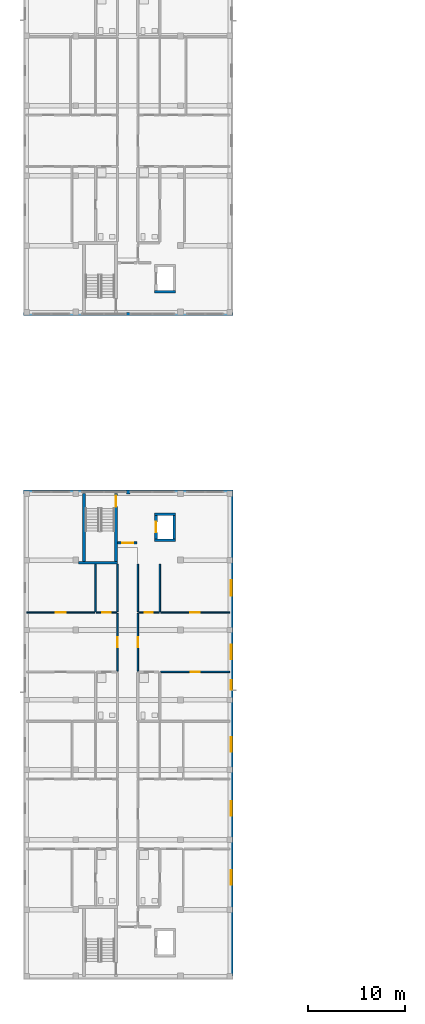
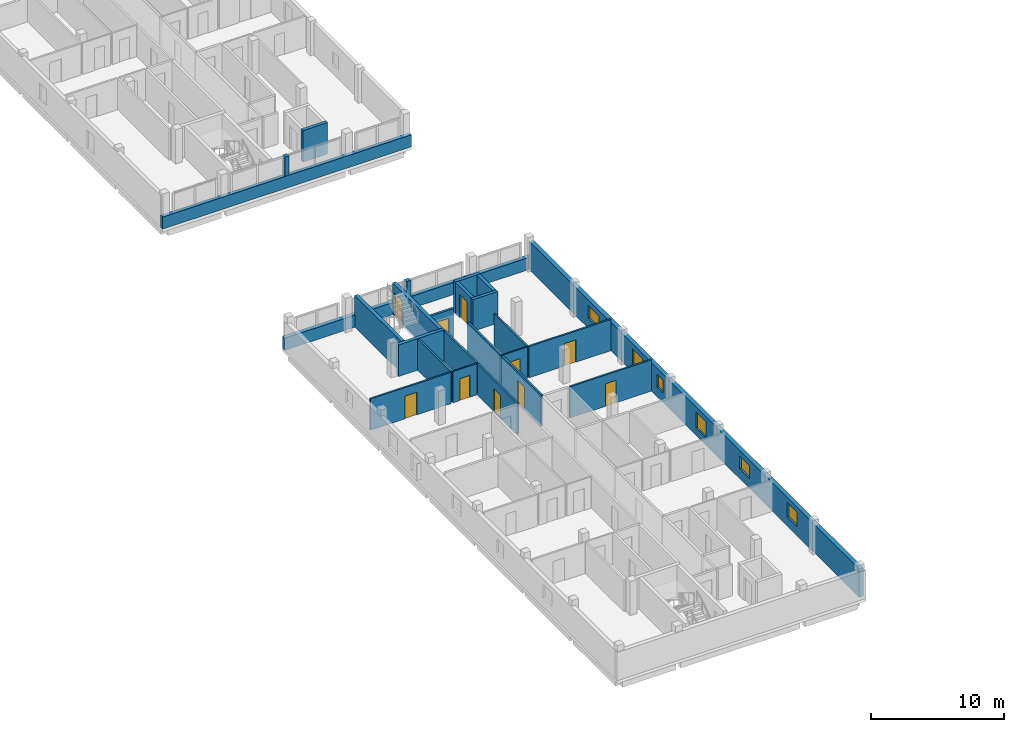
# One storey, part 15 of 38: 25 walls, 10 doors, 6 windows, 16 openings.
"""IFC4 building model written with IfcOpenShell, lengths in metres."""

import ifcopenshell
import ifcopenshell.guid

model = None  # the IFC model being written
_history = None  # IfcOwnerHistory: only IFC2X3 demands one
_inside = {}  # id of a spatial element -> (the spatial element, [elements in it])
_under = {}  # id of a project, library or spatial element -> (it, [spatial elements below it])
_declared = {}  # id of a project -> (the project, [libraries it declares])
_typed = {}  # id of a type object -> (the type object, [elements of that type])
_made_of = {}  # id of a material, layer set ... -> (it, [elements and type objects made of it])


def new_model(schema):
    """Start an empty IFC model of exactly this schema.

    Asked for "IFC4X3", IfcOpenShell would pick the latest addendum, in which some entities
    have other attributes; the version numbers below select the first issue.
    IFC2X3 requires an IfcOwnerHistory on every rooted entity: one is made here for all.
    """
    global model, _history
    if schema == "IFC4X3":
        model = ifcopenshell.file(schema_version=(4, 3, 0, 0))
    else:
        model = ifcopenshell.file(schema=schema)
    _inside.clear()
    _under.clear()
    _declared.clear()
    _typed.clear()
    _made_of.clear()
    _history = None
    if model.schema == "IFC2X3":
        org = make("IfcOrganization", Name="unknown")
        user = make(
            "IfcPersonAndOrganization",
            ThePerson=make("IfcPerson", FamilyName="unknown"),
            TheOrganization=org,
        )
        app = make(
            "IfcApplication",
            ApplicationDeveloper=org,
            Version="unknown",
            ApplicationFullName="unknown",
            ApplicationIdentifier="unknown",
        )
        _history = make(
            "IfcOwnerHistory",
            OwningUser=user,
            OwningApplication=app,
            ChangeAction="ADDED",
            CreationDate=0,
        )
    return model


def make(cls, **values):
    """One entity of the class cls with the attributes given. An attribute that is None is left unset."""
    return model.create_entity(
        cls, **{name: value for name, value in values.items() if value is not None}
    )


def rooted(cls, **values):
    """An entity with a GlobalId (a new one), such as an element, a storey or a relation."""
    return make(cls, GlobalId=ifcopenshell.guid.new(), OwnerHistory=_history, **values)


def si_unit(unit_type, name, prefix=None):
    """IfcSIUnit, for example si_unit("LENGTHUNIT", "METRE", prefix="MILLI")."""
    return make("IfcSIUnit", UnitType=unit_type, Prefix=prefix, Name=name)


def derived_unit(unit_type, elements):
    """IfcDerivedUnit: a product of units, each with its exponent."""
    return make(
        "IfcDerivedUnit",
        Elements=[
            make("IfcDerivedUnitElement", Unit=unit, Exponent=power)
            for unit, power in elements
        ],
        UnitType=unit_type,
    )


def assignment(units):
    """IfcUnitAssignment: the units of a project."""
    return None if units is None else make("IfcUnitAssignment", Units=units)


def point(xyz):
    """IfcCartesianPoint."""
    return None if xyz is None else make("IfcCartesianPoint", Coordinates=xyz)


def direction(xyz):
    """IfcDirection."""
    return None if xyz is None else make("IfcDirection", DirectionRatios=xyz)


def frame(location, z_axis=None, x_axis=None):
    """IfcAxis2Placement3D, a coordinate frame: its origin and axes. An axis left out is left unset."""
    return make(
        "IfcAxis2Placement3D",
        Location=point(location),
        Axis=direction(z_axis),
        RefDirection=direction(x_axis),
    )


def frame_2d(location, x_axis=None):
    """IfcAxis2Placement2D, a coordinate frame in the plane: its origin and x axis."""
    return make(
        "IfcAxis2Placement2D", Location=point(location), RefDirection=direction(x_axis)
    )


def origin():
    """The frame at (0, 0, 0) with its axes left unset."""
    return frame((0.0, 0.0, 0.0))


def place(relative_to, where):
    """IfcLocalPlacement: puts the frame where relative to a parent placement (None: the world)."""
    return make(
        "IfcLocalPlacement", PlacementRelTo=relative_to, RelativePlacement=where
    )


def context(
    kind, dimensions, precision=None, world=None, true_north=None, identifier=None
):
    """IfcGeometricRepresentationContext, for example the 3D "Model" context."""
    return make(
        "IfcGeometricRepresentationContext",
        ContextIdentifier=identifier,
        ContextType=kind,
        CoordinateSpaceDimension=dimensions,
        Precision=precision,
        WorldCoordinateSystem=world,
        TrueNorth=true_north,
    )


def subcontext(parent, identifier, kind, view, scale=None):
    """IfcGeometricRepresentationSubContext, for example "Body" below "Model"."""
    return make(
        "IfcGeometricRepresentationSubContext",
        ContextIdentifier=identifier,
        ContextType=kind,
        ParentContext=parent,
        TargetScale=scale,
        TargetView=view,
    )


def project(units=None, contexts=None):
    """IfcProject with its units and contexts."""
    return rooted(
        "IfcProject",
        Name="project",
        RepresentationContexts=contexts,
        UnitsInContext=assignment(units),
    )


def spatial(cls, under=None, at=None, **own):
    """A site, building, storey or space (cls), placed at a placement, below another one or the project."""
    s = rooted(cls, ObjectPlacement=at, **own)
    if under is not None:
        _under.setdefault(under.id(), (under, []))[1].append(s)
    return s


def profile(cls, at=None, kind="AREA", **sizes):
    """A parametric profile (cls). Its sizes go by their IFC names, for example OverallWidth=200.0."""
    return make(cls, ProfileType=kind, Position=at, **sizes)


def rectangle(**sizes):
    """IfcRectangleProfileDef."""
    return profile("IfcRectangleProfileDef", **sizes)


def extrude(swept, where, along, depth):
    """IfcExtrudedAreaSolid: the profile swept, set in the frame where, extruded along a direction by depth."""
    return make(
        "IfcExtrudedAreaSolid",
        SweptArea=swept,
        Position=where,
        ExtrudedDirection=direction(along),
        Depth=depth,
    )


def shape(context_of_items, identifier, shape_type, items):
    """IfcShapeRepresentation: the items that make up one representation, for example the "Body"."""
    return make(
        "IfcShapeRepresentation",
        ContextOfItems=context_of_items,
        RepresentationIdentifier=identifier,
        RepresentationType=shape_type,
        Items=items,
    )


def material(Name=None, Category=None):
    """IfcMaterial."""
    return make("IfcMaterial", Name=Name, Category=Category)


def layer(
    of_material, thickness, ventilated=None, Name=None, Category=None, Priority=None
):
    """IfcMaterialLayer: one layer of a wall or slab, of a material (None: an air gap)."""
    return make(
        "IfcMaterialLayer",
        Material=of_material,
        LayerThickness=thickness,
        IsVentilated=ventilated,
        Name=Name,
        Category=Category,
        Priority=Priority,
    )


def layer_set(layers, Name=None):
    """IfcMaterialLayerSet."""
    return make("IfcMaterialLayerSet", MaterialLayers=layers, LayerSetName=Name)


def made_of(thing, what):
    """Note that an element or type object is made of a material, layer set ...; save() writes the relation."""
    if what is not None:
        _made_of.setdefault(what.id(), (what, []))[1].append(thing)
    return thing


def type_object(cls, material=None, **own):
    """A type object (cls), such as IfcWallType, which elements share."""
    return made_of(rooted(cls, **own), material)


def element(
    cls,
    number,
    at=None,
    inside=None,
    cuts=None,
    type_object=None,
    material=None,
    context=None,
    identifier="Body",
    shape_type=None,
    held_by="IfcProductDefinitionShape",
    body=None,
    shapes=None,
    **own,
):
    """One element of the class cls, such as IfcWall. Its Tag is "e" and its number.

    at: its placement. inside: the storey or other place that contains it. cuts: it is an
    opening in that element (IfcRelVoidsElement). A single representation is given by context,
    identifier, shape_type and body (its items); several are given by shapes. held_by: the class
    of the entity that holds the representations. save() writes the other relations.
    """
    e = rooted(cls, Tag="e%d" % number, ObjectPlacement=at, **own)
    if body is not None:
        shapes = [shape(context, identifier, shape_type, body)]
    if shapes is not None:
        e.Representation = make(held_by, Representations=shapes)
    if inside is not None:
        _inside.setdefault(inside.id(), (inside, []))[1].append(e)
    if cuts is not None:
        rooted(
            "IfcRelVoidsElement", RelatingBuildingElement=cuts, RelatedOpeningElement=e
        )
    if type_object is not None:
        _typed.setdefault(type_object.id(), (type_object, []))[1].append(e)
    return made_of(e, material)


def fill(opening, filler):
    """IfcRelFillsElement: the door or window that sits in an opening."""
    return rooted(
        "IfcRelFillsElement",
        RelatingOpeningElement=opening,
        RelatedBuildingElement=filler,
    )


def aggregate(whole, parts):
    """IfcRelAggregates: a whole, such as a stair, and the parts it consists of."""
    return rooted("IfcRelAggregates", RelatingObject=whole, RelatedObjects=parts)


def save(model, path):
    """Write the relations noted so far, then the file.

    IfcRelAggregates (storeys below a building ...), IfcRelContainedInSpatialStructure (elements
    in a storey), IfcRelDefinesByType, IfcRelAssociatesMaterial and IfcRelDeclares: one each for
    every whole, place, type object, material and project.
    """
    for whole, parts in _under.values():
        aggregate(whole, parts)
    for where, things in _inside.values():
        rooted(
            "IfcRelContainedInSpatialStructure",
            RelatedElements=things,
            RelatingStructure=where,
        )
    for kind, things in _typed.values():
        rooted("IfcRelDefinesByType", RelatedObjects=things, RelatingType=kind)
    for what, things in _made_of.values():
        rooted("IfcRelAssociatesMaterial", RelatedObjects=things, RelatingMaterial=what)
    for by, libraries in _declared.values():
        rooted("IfcRelDeclares", RelatingContext=by, RelatedDefinitions=libraries)
    model.write(path)


model = new_model("IFC4")

# Units and contexts
model_context = context("Model", 3, precision=1e-05, world=origin(), true_north=direction((0.0, 1.0)))
body_context = subcontext(model_context, "Body", "Model", "MODEL_VIEW")
ifc_project = project(units=[si_unit("LENGTHUNIT", "METRE"), si_unit("AREAUNIT", "SQUARE_METRE"), si_unit("VOLUMEUNIT", "CUBIC_METRE"), si_unit("PLANEANGLEUNIT", "RADIAN"), si_unit("MASSUNIT", "GRAM", prefix="KILO"), derived_unit("THERMALTRANSMITTANCEUNIT", [(si_unit("MASSUNIT", "GRAM", prefix="KILO"), 1), (si_unit("TIMEUNIT", "SECOND"), -3), (si_unit("THERMODYNAMICTEMPERATUREUNIT", "KELVIN"), -1)])], contexts=[model_context])

# Site, building, storey
site_placement = place(None, origin())
site = spatial("IfcSite", under=ifc_project, at=site_placement, CompositionType="ELEMENT")
building_placement = place(site_placement, origin())
building = spatial("IfcBuilding", under=site, at=building_placement, Name="Ochrekiln Boulevard Commons", CompositionType="ELEMENT")
storey_placement = place(building_placement, frame((0.0, 0.0, 24.675048828125)))
storey = spatial("IfcBuildingStorey", under=building, at=storey_placement, Name="L07", CompositionType="ELEMENT", Elevation=24.675048828125)

# Wall, openings, windows
ifc_material_1 = material(Name="Iron-spot brown clinker brick masonry ASTM C216 Grade SW", Category="masonry")
ifc_layer_1 = layer(ifc_material_1, 0.364990234375)
ifc_layer_set_1 = layer_set([ifc_layer_1], Name="Iron-spot brown clinker brick masonry ASTM C216 Grade SW")
wall_type_1 = type_object("IfcWallType", Name="WL-EXT-IRON-365", PredefinedType="SOLIDWALL", material=ifc_layer_set_1)
wall_1_placement = place(storey_placement, frame((21.41748046875, 0.364990234375, 0.0), z_axis=(0.0, 0.0, 1.0), x_axis=(0.0, 1.0, 0.0)))
wall_1 = element("IfcWall", 1, at=wall_1_placement, inside=storey, type_object=wall_type_1, Name="Block D L07 E Exterior Wall", PredefinedType="SOLIDWALL", context=body_context, shape_type="SweptSolid", body=[
    extrude(rectangle(XDim=49.669921875, YDim=0.364990234375, at=frame_2d((24.8349609375, 0.0))), origin(), (0.0, 0.0, 1.0), 2.599853515625),
])
opening_1_placement = place(wall_1_placement, frame((16.51708984375, 0.0, 0.89990234375)))
opening_1 = element("IfcOpeningElement", 2, at=opening_1_placement, cuts=wall_1, Name="Opening W-26", PredefinedType="OPENING", context=body_context, shape_type="SweptSolid", body=[
    extrude(rectangle(XDim=1.47998046875, YDim=1.199951171875, at=frame_2d((0.739990234375, 0.60009765625))), frame((0.0, 0.1923828125, 0.0), z_axis=(0.0, -1.0, 0.0), x_axis=(1.0, 0.0, 0.0)), (0.0, 0.0, 1.0), 0.385009765625),
])
opening_2_placement = place(wall_1_placement, frame((9.386962890625, 0.0, 0.81494140625)))
opening_2 = element("IfcOpeningElement", 3, at=opening_2_placement, cuts=wall_1, Name="Opening W-27", PredefinedType="OPENING", context=body_context, shape_type="SweptSolid", body=[
    extrude(rectangle(XDim=1.47998046875, YDim=1.35009765625, at=frame_2d((0.739990234375, 0.675048828125))), frame((0.0, 0.1923828125, 0.0), z_axis=(0.0, -1.0, 0.0), x_axis=(1.0, 0.0, 0.0)), (0.0, 0.0, 1.0), 0.385009765625),
])
opening_3_placement = place(wall_1_placement, frame((23.089111328125, 0.0, 0.6650390625)))
opening_3 = element("IfcOpeningElement", 4, at=opening_3_placement, cuts=wall_1, Name="Opening W-28", PredefinedType="OPENING", context=body_context, shape_type="SweptSolid", body=[
    extrude(rectangle(XDim=1.47998046875, YDim=1.5, at=frame_2d((0.739990234375, 0.75))), frame((0.0, 0.1923828125, 0.0), z_axis=(0.0, -1.0, 0.0), x_axis=(1.0, 0.0, 0.0)), (0.0, 0.0, 1.0), 0.385009765625),
])
opening_4_placement = place(wall_1_placement, frame((32.64501953125, 0.0, 0.514892578125)))
opening_4 = element("IfcOpeningElement", 5, at=opening_4_placement, cuts=wall_1, Name="Opening W-29", PredefinedType="OPENING", context=body_context, shape_type="SweptSolid", body=[
    extrude(rectangle(XDim=1.47998046875, YDim=1.64990234375, at=frame_2d((0.739990234375, 0.824951171875))), frame((0.0, 0.1923828125, 0.0), z_axis=(0.0, -1.0, 0.0), x_axis=(1.0, 0.0, 0.0)), (0.0, 0.0, 1.0), 0.385009765625),
])
opening_5_placement = place(wall_1_placement, frame((29.5, 0.0, 0.85009765625)))
opening_5 = element("IfcOpeningElement", 6, at=opening_5_placement, cuts=wall_1, Name="Opening W-01", PredefinedType="OPENING", context=body_context, shape_type="SweptSolid", body=[
    extrude(rectangle(XDim=0.949951171875, YDim=1.199951171875, at=frame_2d((0.47509765625, 0.60009765625))), frame((0.0, 0.1923828125, 0.0), z_axis=(0.0, -1.0, 0.0), x_axis=(1.0, 0.0, 0.0)), (0.0, 0.0, 1.0), 0.385009765625),
])
opening_6_placement = place(wall_1_placement, frame((39.178955078125, 0.0, 0.89990234375)))
opening_6 = element("IfcOpeningElement", 7, at=opening_6_placement, cuts=wall_1, Name="Opening W-31", PredefinedType="OPENING", context=body_context, shape_type="SweptSolid", body=[
    extrude(rectangle(XDim=1.60009765625, YDim=1.199951171875, at=frame_2d((0.800048828125, 0.60009765625))), frame((0.0, 0.1923828125, 0.0), z_axis=(0.0, -1.0, 0.0), x_axis=(1.0, 0.0, 0.0)), (0.0, 0.0, 1.0), 0.385009765625),
])
ifc_material_2 = material(Name="Thermally broken aluminium-clad oak frame", Category="aluminium")
window_type_1 = type_object("IfcWindowType", Name="WIN-EXT-01", PartitioningType="SINGLE_PANEL", PredefinedType="WINDOW", material=ifc_material_2)
window_1_placement = place(opening_5_placement, origin())
window_1 = element("IfcWindow", 8, at=window_1_placement, inside=storey, type_object=window_type_1, Name="Block D L07 Punched Masonry Window W-01", OverallHeight=1.199951171875, OverallWidth=0.949951171875, PartitioningType="SINGLE_PANEL", PredefinedType="WINDOW", context=body_context, shape_type="SweptSolid", body=[
    extrude(rectangle(XDim=0.949951171875, YDim=1.199951171875, at=frame_2d((0.47509765625, 0.60009765625))), frame((0.0, 0.030029296875, 0.0), z_axis=(0.0, -1.0, 0.0), x_axis=(1.0, 0.0, 0.0)), (0.0, 0.0, 1.0), 0.06005859375),
])
fill(opening_5, window_1)
window_type_2 = type_object("IfcWindowType", Name="WIN-EXT-26", PartitioningType="SINGLE_PANEL", PredefinedType="WINDOW", material=ifc_material_2)
window_2_placement = place(opening_1_placement, origin())
window_2 = element("IfcWindow", 9, at=window_2_placement, inside=storey, type_object=window_type_2, Name="Block D L07 Punched Masonry Window W-26", OverallHeight=1.199951171875, OverallWidth=1.47998046875, PartitioningType="SINGLE_PANEL", PredefinedType="WINDOW", context=body_context, shape_type="SweptSolid", body=[
    extrude(rectangle(XDim=1.47998046875, YDim=1.199951171875, at=frame_2d((0.739990234375, 0.60009765625))), frame((0.0, 0.030029296875, 0.0), z_axis=(0.0, -1.0, 0.0), x_axis=(1.0, 0.0, 0.0)), (0.0, 0.0, 1.0), 0.06005859375),
])
fill(opening_1, window_2)
window_type_3 = type_object("IfcWindowType", Name="WIN-EXT-27", PartitioningType="SINGLE_PANEL", PredefinedType="WINDOW", material=ifc_material_2)
window_3_placement = place(opening_2_placement, origin())
window_3 = element("IfcWindow", 10, at=window_3_placement, inside=storey, type_object=window_type_3, Name="Block D L07 Punched Masonry Window W-27", OverallHeight=1.35009765625, OverallWidth=1.47998046875, PartitioningType="SINGLE_PANEL", PredefinedType="WINDOW", context=body_context, shape_type="SweptSolid", body=[
    extrude(rectangle(XDim=1.47998046875, YDim=1.35009765625, at=frame_2d((0.739990234375, 0.675048828125))), frame((0.0, 0.030029296875, 0.0), z_axis=(0.0, -1.0, 0.0), x_axis=(1.0, 0.0, 0.0)), (0.0, 0.0, 1.0), 0.06005859375),
])
fill(opening_2, window_3)
window_type_4 = type_object("IfcWindowType", Name="WIN-EXT-28", PartitioningType="SINGLE_PANEL", PredefinedType="WINDOW", material=ifc_material_2)
window_4_placement = place(opening_3_placement, origin())
window_4 = element("IfcWindow", 11, at=window_4_placement, inside=storey, type_object=window_type_4, Name="Block D L07 Punched Masonry Window W-28", OverallHeight=1.5, OverallWidth=1.47998046875, PartitioningType="SINGLE_PANEL", PredefinedType="WINDOW", context=body_context, shape_type="SweptSolid", body=[
    extrude(rectangle(XDim=1.47998046875, YDim=1.5, at=frame_2d((0.739990234375, 0.75))), frame((0.0, 0.030029296875, 0.0), z_axis=(0.0, -1.0, 0.0), x_axis=(1.0, 0.0, 0.0)), (0.0, 0.0, 1.0), 0.06005859375),
])
fill(opening_3, window_4)
window_type_5 = type_object("IfcWindowType", Name="WIN-EXT-29", PartitioningType="SINGLE_PANEL", PredefinedType="WINDOW", material=ifc_material_2)
window_5_placement = place(opening_4_placement, origin())
window_5 = element("IfcWindow", 12, at=window_5_placement, inside=storey, type_object=window_type_5, Name="Block D L07 Punched Masonry Window W-29", OverallHeight=1.64990234375, OverallWidth=1.47998046875, PartitioningType="SINGLE_PANEL", PredefinedType="WINDOW", context=body_context, shape_type="SweptSolid", body=[
    extrude(rectangle(XDim=1.47998046875, YDim=1.64990234375, at=frame_2d((0.739990234375, 0.824951171875))), frame((0.0, 0.030029296875, 0.0), z_axis=(0.0, -1.0, 0.0), x_axis=(1.0, 0.0, 0.0)), (0.0, 0.0, 1.0), 0.06005859375),
])
fill(opening_4, window_5)
window_type_6 = type_object("IfcWindowType", Name="WIN-EXT-31", PartitioningType="DOUBLE_PANEL_VERTICAL", PredefinedType="WINDOW", material=ifc_material_2)
window_6_placement = place(opening_6_placement, origin())
window_6 = element("IfcWindow", 13, at=window_6_placement, inside=storey, type_object=window_type_6, Name="Block D L07 Punched Masonry Window W-31", OverallHeight=1.199951171875, OverallWidth=1.60009765625, PartitioningType="DOUBLE_PANEL_VERTICAL", PredefinedType="WINDOW", context=body_context, shape_type="SweptSolid", body=[
    extrude(rectangle(XDim=1.60009765625, YDim=1.199951171875, at=frame_2d((0.800048828125, 0.60009765625))), frame((0.0, 0.030029296875, 0.0), z_axis=(0.0, -1.0, 0.0), x_axis=(1.0, 0.0, 0.0)), (0.0, 0.0, 1.0), 0.06005859375),
])
fill(opening_6, window_6)

# Walls
wall_2_placement = place(storey_placement, frame((0.0, 50.217529296875, 0.0), z_axis=(0.0, 0.0, 1.0), x_axis=(1.0, 0.0, 0.0)))
element("IfcWall", 14, at=wall_2_placement, inside=storey, type_object=wall_type_1, Name="Block D L07 Courtyard Gable Sill Wall", PredefinedType="SOLIDWALL", context=body_context, shape_type="SweptSolid", body=[
    extrude(rectangle(XDim=21.60009765625, YDim=0.364990234375, at=frame_2d((10.800048828125, 0.0))), origin(), (0.0, 0.0, 1.0), 1.10986328125),
])
wall_3_placement = place(storey_placement, frame((10.6201171875, 50.217529296875, 1.10986328125), z_axis=(0.0, 0.0, 1.0), x_axis=(1.0, 0.0, 0.0)))
element("IfcWall", 15, at=wall_3_placement, inside=storey, type_object=wall_type_1, Name="Block D L07 Courtyard Gable Mullion Pier", PredefinedType="SOLIDWALL", context=body_context, shape_type="SweptSolid", body=[
    extrude(rectangle(XDim=0.35986328125, YDim=0.364990234375, at=frame_2d((0.179931640625, 0.0))), origin(), (0.0, 0.0, 1.0), 1.489990234375),
])
ifc_material_3 = material(Name="Desert ochre clinker brick masonry ASTM C216 Grade SW", Category="masonry")
ifc_layer_2 = layer(ifc_material_3, 0.320068359375)
ifc_layer_set_2 = layer_set([ifc_layer_2], Name="Desert ochre clinker brick masonry ASTM C216 Grade SW")
wall_type_2 = type_object("IfcWallType", Name="WL-EXT-OCHRE-320", PredefinedType="SOLIDWALL", material=ifc_layer_set_2)
wall_4_placement = place(storey_placement, frame((0.0, 68.56005859375, 0.0), z_axis=(0.0, 0.0, 1.0), x_axis=(1.0, 0.0, 0.0)))
element("IfcWall", 16, at=wall_4_placement, inside=storey, type_object=wall_type_2, Name="Block A L07 Courtyard Gable Sill Wall", PredefinedType="SOLIDWALL", context=body_context, shape_type="SweptSolid", body=[
    extrude(rectangle(XDim=21.60009765625, YDim=0.320068359375, at=frame_2d((10.800048828125, 0.0))), origin(), (0.0, 0.0, 1.0), 1.10986328125),
])
wall_5_placement = place(storey_placement, frame((10.6201171875, 68.56005859375, 1.10986328125), z_axis=(0.0, 0.0, 1.0), x_axis=(1.0, 0.0, 0.0)))
element("IfcWall", 17, at=wall_5_placement, inside=storey, type_object=wall_type_2, Name="Block A L07 Courtyard Gable Mullion Pier", PredefinedType="SOLIDWALL", context=body_context, shape_type="SweptSolid", body=[
    extrude(rectangle(XDim=0.35986328125, YDim=0.320068359375, at=frame_2d((0.179931640625, 0.0))), origin(), (0.0, 0.0, 1.0), 1.7900390625),
])

# Wall, opening, door
ifc_material_4 = material(Name="Fire-rated Type X gypsum board on steel studs", Category="steel")
ifc_layer_3 = layer(ifc_material_4, 0.1650390625)
ifc_layer_set_3 = layer_set([ifc_layer_3], Name="Fire-rated Type X gypsum board on steel studs")
wall_type_3 = type_object("IfcWallType", Name="WL-PT-CORR-165", PredefinedType="PARTITIONING", material=ifc_layer_set_3)
wall_6_placement = place(storey_placement, frame((9.7099609375, 31.77001953125, 0.0), z_axis=(0.0, 0.0, 1.0), x_axis=(0.0, 1.0, 0.0)))
wall_6 = element("IfcWall", 18, at=wall_6_placement, inside=storey, type_object=wall_type_3, Name="L07 Interior Wall W-PC165", PredefinedType="PARTITIONING", context=body_context, shape_type="SweptSolid", body=[
    extrude(rectangle(XDim=5.9580078125, YDim=0.1650390625, at=frame_2d((2.97900390625, 0.0))), origin(), (0.0, 0.0, 1.0), 2.869873046875),
])
opening_7_placement = place(wall_6_placement, frame((2.47412109375, 0.0, 0.0)))
opening_7 = element("IfcOpeningElement", 19, at=opening_7_placement, cuts=wall_6, Name="Opening D-L07-977", PredefinedType="OPENING", context=body_context, shape_type="SweptSolid", body=[
    extrude(rectangle(XDim=1.010009765625, YDim=2.110107421875, at=frame_2d((0.5048828125, 1.05517578125))), frame((0.0, 0.092529296875, 0.0), z_axis=(0.0, -1.0, 0.0), x_axis=(1.0, 0.0, 0.0)), (0.0, 0.0, 1.0), 0.18505859375),
])
ifc_material_5 = material(Name="Solid core architectural oak door leaf")
door_type_1 = type_object("IfcDoorType", Name="DR-INT-APT-101", OperationType="NOTDEFINED", PredefinedType="DOOR", material=ifc_material_5)
door_1_placement = place(opening_7_placement, origin())
door_1 = element("IfcDoor", 20, at=door_1_placement, inside=storey, type_object=door_type_1, Name="L07 Interior Door to Two-Bedroom Apartment Living Room", OperationType="SINGLE_SWING_LEFT", OverallHeight=2.110107421875, OverallWidth=1.010009765625, PredefinedType="DOOR", context=body_context, shape_type="SweptSolid", body=[
    extrude(rectangle(XDim=1.010009765625, YDim=2.110107421875, at=frame_2d((0.5048828125, 1.05517578125))), frame((0.0, 0.02490234375, 0.0), z_axis=(0.0, -1.0, 0.0), x_axis=(1.0, 0.0, 0.0)), (0.0, 0.0, 1.0), 0.050048828125),
])
fill(opening_7, door_1)

# Wall
wall_7_placement = place(storey_placement, frame((9.7099609375, 37.887939453125, 0.0), z_axis=(0.0, 0.0, 1.0), x_axis=(0.0, 1.0, 0.0)))
element("IfcWall", 21, at=wall_7_placement, inside=storey, type_object=wall_type_3, Name="L07 Interior Wall W-PC165", PredefinedType="PARTITIONING", context=body_context, shape_type="SweptSolid", body=[
    extrude(rectangle(XDim=4.912109375, YDim=0.1650390625, at=frame_2d((2.4560546875, 0.0))), origin(), (0.0, 0.0, 1.0), 2.869873046875),
])

# Wall, opening, door
wall_8_placement = place(storey_placement, frame((11.7900390625, 31.77001953125, 0.0), z_axis=(0.0, 0.0, 1.0), x_axis=(0.0, 1.0, 0.0)))
wall_8 = element("IfcWall", 22, at=wall_8_placement, inside=storey, type_object=wall_type_3, Name="L07 Interior Wall W-PC165", PredefinedType="PARTITIONING", context=body_context, shape_type="SweptSolid", body=[
    extrude(rectangle(XDim=5.9580078125, YDim=0.1650390625, at=frame_2d((2.97900390625, 0.0))), origin(), (0.0, 0.0, 1.0), 2.869873046875),
])
opening_8_placement = place(wall_8_placement, frame((2.47412109375, 0.0, 0.0)))
opening_8 = element("IfcOpeningElement", 23, at=opening_8_placement, cuts=wall_8, Name="Opening D-L07-979", PredefinedType="OPENING", context=body_context, shape_type="SweptSolid", body=[
    extrude(rectangle(XDim=1.010009765625, YDim=2.110107421875, at=frame_2d((0.5048828125, 1.05517578125))), frame((0.0, 0.092529296875, 0.0), z_axis=(0.0, -1.0, 0.0), x_axis=(1.0, 0.0, 0.0)), (0.0, 0.0, 1.0), 0.18505859375),
])
door_2_placement = place(opening_8_placement, frame((1.010009765625, 0.0, 0.0), z_axis=(0.0, 0.0, 1.0), x_axis=(-1.0, 0.0, 0.0)))
door_2 = element("IfcDoor", 24, at=door_2_placement, inside=storey, type_object=door_type_1, Name="L07 Interior Door to Two-Bedroom Apartment Living Room", OperationType="SINGLE_SWING_LEFT", OverallHeight=2.110107421875, OverallWidth=1.010009765625, PredefinedType="DOOR", context=body_context, shape_type="SweptSolid", body=[
    extrude(rectangle(XDim=1.010009765625, YDim=2.110107421875, at=frame_2d((0.5048828125, 1.05517578125))), frame((0.0, 0.02490234375, 0.0), z_axis=(0.0, -1.0, 0.0), x_axis=(1.0, 0.0, 0.0)), (0.0, 0.0, 1.0), 0.050048828125),
])
fill(opening_8, door_2)

# Wall
wall_9_placement = place(storey_placement, frame((11.7900390625, 37.887939453125, 0.0), z_axis=(0.0, 0.0, 1.0), x_axis=(0.0, 1.0, 0.0)))
element("IfcWall", 25, at=wall_9_placement, inside=storey, type_object=wall_type_3, Name="L07 Interior Wall W-PC165", PredefinedType="PARTITIONING", context=body_context, shape_type="SweptSolid", body=[
    extrude(rectangle(XDim=4.912109375, YDim=0.1650390625, at=frame_2d((2.4560546875, 0.0))), origin(), (0.0, 0.0, 1.0), 2.869873046875),
])

# Wall, opening, door
ifc_layer_4 = layer(ifc_material_4, 0.18994140625)
ifc_layer_set_4 = layer_set([ifc_layer_4], Name="Fire-rated Type X gypsum board on steel studs")
wall_type_4 = type_object("IfcWallType", Name="WL-PT-LBY-190", PredefinedType="PARTITIONING", material=ifc_layer_set_4)
wall_10_placement = place(storey_placement, frame((9.699951171875, 44.97998046875, 0.0), z_axis=(0.0, 0.0, 1.0), x_axis=(1.0, 0.0, 0.0)))
wall_10 = element("IfcWall", 26, at=wall_10_placement, inside=storey, type_object=wall_type_4, Name="L07 Interior Wall W-PL190", PredefinedType="PARTITIONING", context=body_context, shape_type="SweptSolid", body=[
    extrude(rectangle(XDim=2.0, YDim=0.18994140625, at=frame_2d((1.0, 0.0))), origin(), (0.0, 0.0, 1.0), 2.869873046875),
])
opening_9_placement = place(wall_10_placement, frame((0.5, 0.0, 0.0)))
opening_9 = element("IfcOpeningElement", 27, at=opening_9_placement, cuts=wall_10, Name="Opening D-L07-974", PredefinedType="OPENING", context=body_context, shape_type="SweptSolid", body=[
    extrude(rectangle(XDim=1.10009765625, YDim=2.1201171875, at=frame_2d((0.550048828125, 1.06005859375))), frame((0.0, 0.10498046875, 0.0), z_axis=(0.0, -1.0, 0.0), x_axis=(1.0, 0.0, 0.0)), (0.0, 0.0, 1.0), 0.2099609375),
])
ifc_material_6 = material(Name="Hollow metal fire-rated steel door assembly", Category="steel")
door_type_2 = type_object("IfcDoorType", Name="DR-LOBBY-60", OperationType="NOTDEFINED", PredefinedType="DOOR", material=ifc_material_6)
door_3_placement = place(opening_9_placement, origin())
door_3 = element("IfcDoor", 28, at=door_3_placement, inside=storey, type_object=door_type_2, Name="L07 Interior Door to Passenger Elevator Lobby", OperationType="SINGLE_SWING_RIGHT", OverallHeight=2.1201171875, OverallWidth=1.10009765625, PredefinedType="DOOR", context=body_context, shape_type="SweptSolid", body=[
    extrude(rectangle(XDim=1.10009765625, YDim=2.1201171875, at=frame_2d((0.550048828125, 1.06005859375))), frame((0.0, 0.02490234375, 0.0), z_axis=(0.0, -1.0, 0.0), x_axis=(1.0, 0.0, 0.0)), (0.0, 0.0, 1.0), 0.050048828125),
])
fill(opening_9, door_3)

ifc_layer_5 = layer(ifc_material_4, 0.1201171875)
ifc_layer_set_5 = layer_set([ifc_layer_5], Name="Fire-rated Type X gypsum board on steel studs")
wall_type_5 = type_object("IfcWallType", Name="WL-PT-LGT-120", PredefinedType="PARTITIONING", material=ifc_layer_set_5)
wall_11_placement = place(storey_placement, frame((7.52001953125, 37.80810546875, 0.0), z_axis=(0.0, 0.0, 1.0), x_axis=(1.0, 0.0, 0.0)))
wall_11 = element("IfcWall", 29, at=wall_11_placement, inside=storey, type_object=wall_type_5, Name="L07 Interior Wall W-PL120", PredefinedType="PARTITIONING", context=body_context, shape_type="SweptSolid", body=[
    extrude(rectangle(XDim=2.10791015625, YDim=0.1201171875, at=frame_2d((1.053955078125, 0.0))), origin(), (0.0, 0.0, 1.0), 2.869873046875),
])
opening_10_placement = place(wall_11_placement, frame((0.625, 0.0, 0.0)))
opening_10 = element("IfcOpeningElement", 30, at=opening_10_placement, cuts=wall_11, Name="Opening D-L07-988", PredefinedType="OPENING", context=body_context, shape_type="SweptSolid", body=[
    extrude(rectangle(XDim=0.85009765625, YDim=2.010009765625, at=frame_2d((0.425048828125, 1.0048828125))), frame((0.0, 0.070068359375, 0.0), z_axis=(0.0, -1.0, 0.0), x_axis=(1.0, 0.0, 0.0)), (0.0, 0.0, 1.0), 0.14013671875),
])
door_type_3 = type_object("IfcDoorType", Name="DR-INT-KIT-085", OperationType="NOTDEFINED", PredefinedType="DOOR", material=ifc_material_5)
door_4_placement = place(opening_10_placement, origin())
door_4 = element("IfcDoor", 31, at=door_4_placement, inside=storey, type_object=door_type_3, Name="L07 Interior Door to Apartment Kitchen", OperationType="SINGLE_SWING_RIGHT", OverallHeight=2.010009765625, OverallWidth=0.85009765625, PredefinedType="DOOR", context=body_context, shape_type="SweptSolid", body=[
    extrude(rectangle(XDim=0.85009765625, YDim=2.010009765625, at=frame_2d((0.425048828125, 1.0048828125))), frame((0.0, 0.02490234375, 0.0), z_axis=(0.0, -1.0, 0.0), x_axis=(1.0, 0.0, 0.0)), (0.0, 0.0, 1.0), 0.050048828125),
])
fill(opening_10, door_4)

wall_12_placement = place(storey_placement, frame((11.8720703125, 37.80810546875, 0.0), z_axis=(0.0, 0.0, 1.0), x_axis=(1.0, 0.0, 0.0)))
wall_12 = element("IfcWall", 32, at=wall_12_placement, inside=storey, type_object=wall_type_5, Name="L07 Interior Wall W-PL120", PredefinedType="PARTITIONING", context=body_context, shape_type="SweptSolid", body=[
    extrude(rectangle(XDim=2.10791015625, YDim=0.1201171875, at=frame_2d((1.053955078125, 0.0))), origin(), (0.0, 0.0, 1.0), 2.869873046875),
])
opening_11_placement = place(wall_12_placement, frame((0.633056640625, 0.0, 0.0)))
opening_11 = element("IfcOpeningElement", 33, at=opening_11_placement, cuts=wall_12, Name="Opening D-L07-999", PredefinedType="OPENING", context=body_context, shape_type="SweptSolid", body=[
    extrude(rectangle(XDim=0.85009765625, YDim=2.010009765625, at=frame_2d((0.425048828125, 1.0048828125))), frame((0.0, 0.070068359375, 0.0), z_axis=(0.0, -1.0, 0.0), x_axis=(1.0, 0.0, 0.0)), (0.0, 0.0, 1.0), 0.14013671875),
])
door_5_placement = place(opening_11_placement, origin())
door_5 = element("IfcDoor", 34, at=door_5_placement, inside=storey, type_object=door_type_3, Name="L07 Interior Door to Apartment Kitchen", OperationType="SINGLE_SWING_LEFT", OverallHeight=2.010009765625, OverallWidth=0.85009765625, PredefinedType="DOOR", context=body_context, shape_type="SweptSolid", body=[
    extrude(rectangle(XDim=0.85009765625, YDim=2.010009765625, at=frame_2d((0.425048828125, 1.0048828125))), frame((0.0, 0.02490234375, 0.0), z_axis=(0.0, -1.0, 0.0), x_axis=(1.0, 0.0, 0.0)), (0.0, 0.0, 1.0), 0.050048828125),
])
fill(opening_11, door_5)

ifc_layer_6 = layer(ifc_material_4, 0.14990234375)
ifc_layer_set_6 = layer_set([ifc_layer_6], Name="Fire-rated Type X gypsum board on steel studs")
wall_type_6 = type_object("IfcWallType", Name="WL-PT-STD-150", PredefinedType="PARTITIONING", material=ifc_layer_set_6)
wall_13_placement = place(storey_placement, frame((0.35009765625, 37.80810546875, 0.0), z_axis=(0.0, 0.0, 1.0), x_axis=(1.0, 0.0, 0.0)))
wall_13 = element("IfcWall", 35, at=wall_13_placement, inside=storey, type_object=wall_type_6, Name="L07 Interior Wall W-PS150", PredefinedType="PARTITIONING", context=body_context, shape_type="SweptSolid", body=[
    extrude(rectangle(XDim=7.010009765625, YDim=0.14990234375, at=frame_2d((3.5048828125, 0.0))), origin(), (0.0, 0.0, 1.0), 2.869873046875),
])
opening_12_placement = place(wall_13_placement, frame((2.985107421875, 0.0, 0.0)))
opening_12 = element("IfcOpeningElement", 36, at=opening_12_placement, cuts=wall_13, Name="Opening D-L07-990", PredefinedType="OPENING", context=body_context, shape_type="SweptSolid", body=[
    extrude(rectangle(XDim=1.0400390625, YDim=2.080078125, at=frame_2d((0.52001953125, 1.0400390625))), frame((0.0, 0.0849609375, 0.0), z_axis=(0.0, -1.0, 0.0), x_axis=(1.0, 0.0, 0.0)), (0.0, 0.0, 1.0), 0.169921875),
])
door_type_4 = type_object("IfcDoorType", Name="DR-INT-BED-104", OperationType="NOTDEFINED", PredefinedType="DOOR", material=ifc_material_5)
door_6_placement = place(opening_12_placement, origin())
door_6 = element("IfcDoor", 37, at=door_6_placement, inside=storey, type_object=door_type_4, Name="L07 Interior Door to Secondary Apartment Bedroom", OperationType="SINGLE_SWING_RIGHT", OverallHeight=2.080078125, OverallWidth=1.0400390625, PredefinedType="DOOR", context=body_context, shape_type="SweptSolid", body=[
    extrude(rectangle(XDim=1.0400390625, YDim=2.080078125, at=frame_2d((0.52001953125, 1.0400390625))), frame((0.0, 0.02490234375, 0.0), z_axis=(0.0, -1.0, 0.0), x_axis=(1.0, 0.0, 0.0)), (0.0, 0.0, 1.0), 0.050048828125),
])
fill(opening_12, door_6)

# Wall
wall_14_placement = place(storey_placement, frame((7.43994140625, 37.867919921875, 0.0), z_axis=(0.0, 0.0, 1.0), x_axis=(0.0, 1.0, 0.0)))
element("IfcWall", 38, at=wall_14_placement, inside=storey, type_object=wall_type_6, Name="L07 Interior Wall W-PS150", PredefinedType="PARTITIONING", context=body_context, shape_type="SweptSolid", body=[
    extrude(rectangle(XDim=4.93212890625, YDim=0.14990234375, at=frame_2d((2.466064453125, 0.0))), origin(), (0.0, 0.0, 1.0), 2.869873046875),
])

# Wall, opening, door
wall_15_placement = place(storey_placement, frame((14.139892578125, 31.68994140625, 0.0), z_axis=(0.0, 0.0, 1.0), x_axis=(1.0, 0.0, 0.0)))
wall_15 = element("IfcWall", 39, at=wall_15_placement, inside=storey, type_object=wall_type_6, Name="L07 Interior Wall W-PS150", PredefinedType="PARTITIONING", context=body_context, shape_type="SweptSolid", body=[
    extrude(rectangle(XDim=7.110107421875, YDim=0.14990234375, at=frame_2d((3.55517578125, 0.0))), origin(), (0.0, 0.0, 1.0), 2.869873046875),
])
opening_13_placement = place(wall_15_placement, frame((3.0849609375, 0.0, 0.0)))
opening_13 = element("IfcOpeningElement", 40, at=opening_13_placement, cuts=wall_15, Name="Opening D-L07-1000", PredefinedType="OPENING", context=body_context, shape_type="SweptSolid", body=[
    extrude(rectangle(XDim=0.93994140625, YDim=2.06005859375, at=frame_2d((0.469970703125, 1.030029296875))), frame((0.0, 0.0849609375, 0.0), z_axis=(0.0, -1.0, 0.0), x_axis=(1.0, 0.0, 0.0)), (0.0, 0.0, 1.0), 0.169921875),
])
door_type_5 = type_object("IfcDoorType", Name="DR-INT-BED-094", OperationType="NOTDEFINED", PredefinedType="DOOR", material=ifc_material_5)
door_7_placement = place(opening_13_placement, frame((0.93994140625, 0.0, 0.0), z_axis=(0.0, 0.0, 1.0), x_axis=(-1.0, 0.0, 0.0)))
door_7 = element("IfcDoor", 41, at=door_7_placement, inside=storey, type_object=door_type_5, Name="L07 Interior Door to Primary Apartment Bedroom", OperationType="SINGLE_SWING_RIGHT", OverallHeight=2.06005859375, OverallWidth=0.93994140625, PredefinedType="DOOR", context=body_context, shape_type="SweptSolid", body=[
    extrude(rectangle(XDim=0.93994140625, YDim=2.06005859375, at=frame_2d((0.469970703125, 1.030029296875))), frame((0.0, 0.02490234375, 0.0), z_axis=(0.0, -1.0, 0.0), x_axis=(1.0, 0.0, 0.0)), (0.0, 0.0, 1.0), 0.050048828125),
])
fill(opening_13, door_7)

wall_16_placement = place(storey_placement, frame((14.139892578125, 37.80810546875, 0.0), z_axis=(0.0, 0.0, 1.0), x_axis=(1.0, 0.0, 0.0)))
wall_16 = element("IfcWall", 42, at=wall_16_placement, inside=storey, type_object=wall_type_6, Name="L07 Interior Wall W-PS150", PredefinedType="PARTITIONING", context=body_context, shape_type="SweptSolid", body=[
    extrude(rectangle(XDim=7.110107421875, YDim=0.14990234375, at=frame_2d((3.55517578125, 0.0))), origin(), (0.0, 0.0, 1.0), 2.869873046875),
])
opening_14_placement = place(wall_16_placement, frame((3.054931640625, 0.0, 0.0)))
opening_14 = element("IfcOpeningElement", 43, at=opening_14_placement, cuts=wall_16, Name="Opening D-L07-1001", PredefinedType="OPENING", context=body_context, shape_type="SweptSolid", body=[
    extrude(rectangle(XDim=1.0, YDim=2.06005859375, at=frame_2d((0.5, 1.030029296875))), frame((0.0, 0.0849609375, 0.0), z_axis=(0.0, -1.0, 0.0), x_axis=(1.0, 0.0, 0.0)), (0.0, 0.0, 1.0), 0.169921875),
])
door_type_6 = type_object("IfcDoorType", Name="DR-INT-BED-100", OperationType="NOTDEFINED", PredefinedType="DOOR", material=ifc_material_5)
door_8_placement = place(opening_14_placement, origin())
door_8 = element("IfcDoor", 44, at=door_8_placement, inside=storey, type_object=door_type_6, Name="L07 Interior Door to Secondary Apartment Bedroom", OperationType="SINGLE_SWING_LEFT", OverallHeight=2.06005859375, OverallWidth=1.0, PredefinedType="DOOR", context=body_context, shape_type="SweptSolid", body=[
    extrude(rectangle(XDim=1.0, YDim=2.06005859375, at=frame_2d((0.5, 1.030029296875))), frame((0.0, 0.02490234375, 0.0), z_axis=(0.0, -1.0, 0.0), x_axis=(1.0, 0.0, 0.0)), (0.0, 0.0, 1.0), 0.050048828125),
])
fill(opening_14, door_8)

# Walls
wall_17_placement = place(storey_placement, frame((14.06005859375, 37.867919921875, 0.0), z_axis=(0.0, 0.0, 1.0), x_axis=(0.0, 1.0, 0.0)))
element("IfcWall", 45, at=wall_17_placement, inside=storey, type_object=wall_type_6, Name="L07 Interior Wall W-PS150", PredefinedType="PARTITIONING", context=body_context, shape_type="SweptSolid", body=[
    extrude(rectangle(XDim=4.93212890625, YDim=0.14990234375, at=frame_2d((2.466064453125, 0.0))), origin(), (0.0, 0.0, 1.0), 2.869873046875),
])
ifc_material_7 = material(Name="Concrete C40/50", Category="concrete")
ifc_layer_7 = layer(ifc_material_7, 0.27490234375)
ifc_layer_set_7 = layer_set([ifc_layer_7], Name="Concrete C40/50")
wall_type_7 = type_object("IfcWallType", Name="WL-SH-275", PredefinedType="SHEAR", material=ifc_layer_set_7)
for number, where, z_axis, x_axis, name in (
    (46, (13.52490234375, 70.862548828125, 0.0), (0.0, 0.0, 1.0), (1.0, 0.0, 0.0), "Elevator FF-A1 L07 Hoistway Shear Wall"),
    (47, (13.52490234375, 45.262451171875, 0.0), (0.0, 0.0, 1.0), (1.0, 0.0, 0.0), "Elevator LP-D2 L07 Hoistway Shear Wall"),
    (48, (13.52490234375, 47.9375, 0.0), (0.0, 0.0, 1.0), (1.0, 0.0, 0.0), "Elevator LP-D2 L07 Hoistway Shear Wall"),
):
    element("IfcWall", number, at=place(storey_placement, frame(where, z_axis=z_axis, x_axis=x_axis)), inside=storey, type_object=wall_type_7, Name=name, PredefinedType="SHEAR", context=body_context, shape_type="SweptSolid", body=[
        extrude(rectangle(XDim=2.150146484375, YDim=0.27490234375, at=frame_2d((1.0751953125, 0.0))), origin(), (0.0, 0.0, 1.0), 2.89990234375),
    ])

# Wall, opening, door
wall_18_placement = place(storey_placement, frame((13.66259765625, 45.39990234375, 0.0), z_axis=(0.0, 0.0, 1.0), x_axis=(0.0, 1.0, 0.0)))
wall_18 = element("IfcWall", 49, at=wall_18_placement, inside=storey, type_object=wall_type_7, Name="Elevator LP-D2 L07 Hoistway Shear Wall", PredefinedType="SHEAR", context=body_context, shape_type="SweptSolid", body=[
    extrude(rectangle(XDim=2.400146484375, YDim=0.27490234375, at=frame_2d((1.2001953125, 0.0))), origin(), (0.0, 0.0, 1.0), 2.89990234375),
])
opening_15_placement = place(wall_18_placement, frame((0.64990234375, 0.0, 0.0)))
opening_15 = element("IfcOpeningElement", 50, at=opening_15_placement, cuts=wall_18, Name="Opening LD-LP-D2-L07", PredefinedType="OPENING", context=body_context, shape_type="SweptSolid", body=[
    extrude(rectangle(XDim=1.10009765625, YDim=2.14990234375, at=frame_2d((0.550048828125, 1.074951171875))), frame((0.0, 0.1474609375, 0.0), z_axis=(0.0, -1.0, 0.0), x_axis=(1.0, 0.0, 0.0)), (0.0, 0.0, 1.0), 0.294921875),
])
ifc_material_8 = material(Name="Brushed stainless steel 316 elevator cab and doors", Category="steel")
door_type_7 = type_object("IfcDoorType", Name="DR-LIFT-LD90", OperationType="SLIDING_TO_LEFT", PredefinedType="DOOR", material=ifc_material_8)
door_9_placement = place(opening_15_placement, origin())
door_9 = element("IfcDoor", 51, at=door_9_placement, inside=storey, type_object=door_type_7, Name="Elevator LP-D2 L07 Sliding Landing Door LD-LP-D2-L07", OperationType="SLIDING_TO_LEFT", OverallHeight=2.14990234375, OverallWidth=1.10009765625, PredefinedType="DOOR", context=body_context, shape_type="SweptSolid", body=[
    extrude(rectangle(XDim=1.10009765625, YDim=2.14990234375, at=frame_2d((0.550048828125, 1.074951171875))), frame((0.0, 0.02490234375, 0.0), z_axis=(0.0, -1.0, 0.0), x_axis=(1.0, 0.0, 0.0)), (0.0, 0.0, 1.0), 0.050048828125),
])
fill(opening_15, door_9)

# Walls
wall_19_placement = place(storey_placement, frame((15.53759765625, 45.39990234375, 0.0), z_axis=(0.0, 0.0, 1.0), x_axis=(0.0, 1.0, 0.0)))
element("IfcWall", 52, at=wall_19_placement, inside=storey, type_object=wall_type_7, Name="Elevator LP-D2 L07 Hoistway Shear Wall", PredefinedType="SHEAR", context=body_context, shape_type="SweptSolid", body=[
    extrude(rectangle(XDim=2.400146484375, YDim=0.27490234375, at=frame_2d((1.2001953125, 0.0))), origin(), (0.0, 0.0, 1.0), 2.89990234375),
])
ifc_layer_8 = layer(ifc_material_7, 0.300048828125)
ifc_layer_set_8 = layer_set([ifc_layer_8], Name="Concrete C40/50")
wall_type_8 = type_object("IfcWallType", Name="WL-SH-300", PredefinedType="SHEAR", material=ifc_layer_set_8)
wall_20_placement = place(storey_placement, frame((5.699951171875, 42.929931640625, 0.0), z_axis=(0.0, 0.0, 1.0), x_axis=(1.0, 0.0, 0.0)))
element("IfcWall", 53, at=wall_20_placement, inside=storey, type_object=wall_type_8, Name="Stair ST-D2 L07 Core Shear Wall S", PredefinedType="SHEAR", context=body_context, shape_type="SweptSolid", body=[
    extrude(rectangle(XDim=4.0, YDim=0.300048828125, at=frame_2d((2.0, 0.0))), origin(), (0.0, 0.0, 1.0), 2.89990234375),
])
wall_21_placement = place(storey_placement, frame((6.25, 43.080078125, 0.0), z_axis=(0.0, 0.0, 1.0), x_axis=(0.0, 1.0, 0.0)))
element("IfcWall", 54, at=wall_21_placement, inside=storey, type_object=wall_type_8, Name="Stair ST-D2 L07 Core Shear Wall W", PredefinedType="SHEAR", context=body_context, shape_type="SweptSolid", body=[
    extrude(rectangle(XDim=7.0, YDim=0.300048828125, at=frame_2d((3.5, 0.0))), origin(), (0.0, 0.0, 1.0), 2.89990234375),
])

# Wall, opening, door
wall_22_placement = place(storey_placement, frame((9.550048828125, 43.080078125, 0.0), z_axis=(0.0, 0.0, 1.0), x_axis=(0.0, 1.0, 0.0)))
wall_22 = element("IfcWall", 55, at=wall_22_placement, inside=storey, type_object=wall_type_8, Name="Stair ST-D2 L07 Core Shear Wall E", PredefinedType="SHEAR", context=body_context, shape_type="SweptSolid", body=[
    extrude(rectangle(XDim=7.0, YDim=0.300048828125, at=frame_2d((3.5, 0.0))), origin(), (0.0, 0.0, 1.0), 2.89990234375),
])
opening_16_placement = place(wall_22_placement, frame((5.625, 0.0, 0.0)))
opening_16 = element("IfcOpeningElement", 56, at=opening_16_placement, cuts=wall_22, Name="Opening D-L07-ST-D2", PredefinedType="OPENING", context=body_context, shape_type="SweptSolid", body=[
    extrude(rectangle(XDim=1.14990234375, YDim=2.1201171875, at=frame_2d((0.574951171875, 1.06005859375))), frame((0.0, 0.159912109375, 0.0), z_axis=(0.0, -1.0, 0.0), x_axis=(1.0, 0.0, 0.0)), (0.0, 0.0, 1.0), 0.320068359375),
])
door_type_8 = type_object("IfcDoorType", Name="DR-STAIR-90", OperationType="NOTDEFINED", PredefinedType="DOOR", material=ifc_material_6)
door_10_placement = place(opening_16_placement, origin())
door_10 = element("IfcDoor", 57, at=door_10_placement, inside=storey, type_object=door_type_8, Name="Enclosed Exit Stair ST-D2 L07 Rated Door", OperationType="SINGLE_SWING_LEFT", OverallHeight=2.1201171875, OverallWidth=1.14990234375, PredefinedType="DOOR", context=body_context, shape_type="SweptSolid", body=[
    extrude(rectangle(XDim=1.14990234375, YDim=2.1201171875, at=frame_2d((0.574951171875, 1.06005859375))), frame((0.0, 0.02490234375, 0.0), z_axis=(0.0, -1.0, 0.0), x_axis=(1.0, 0.0, 0.0)), (0.0, 0.0, 1.0), 0.050048828125),
])
fill(opening_16, door_10)

save(model, "model.ifc")
